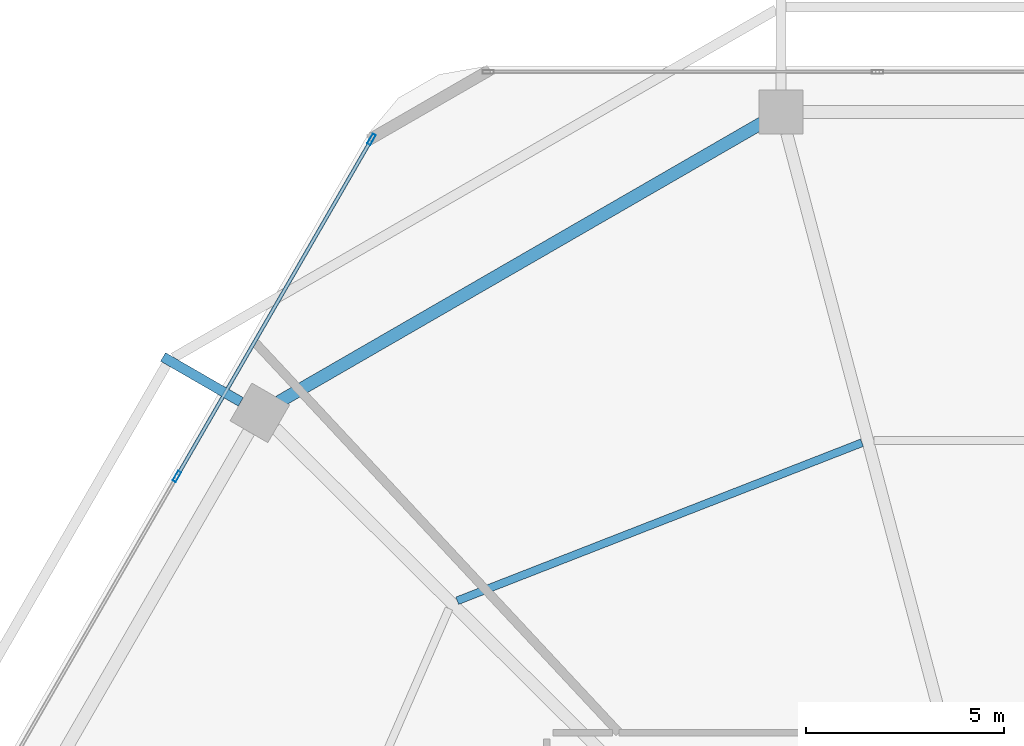
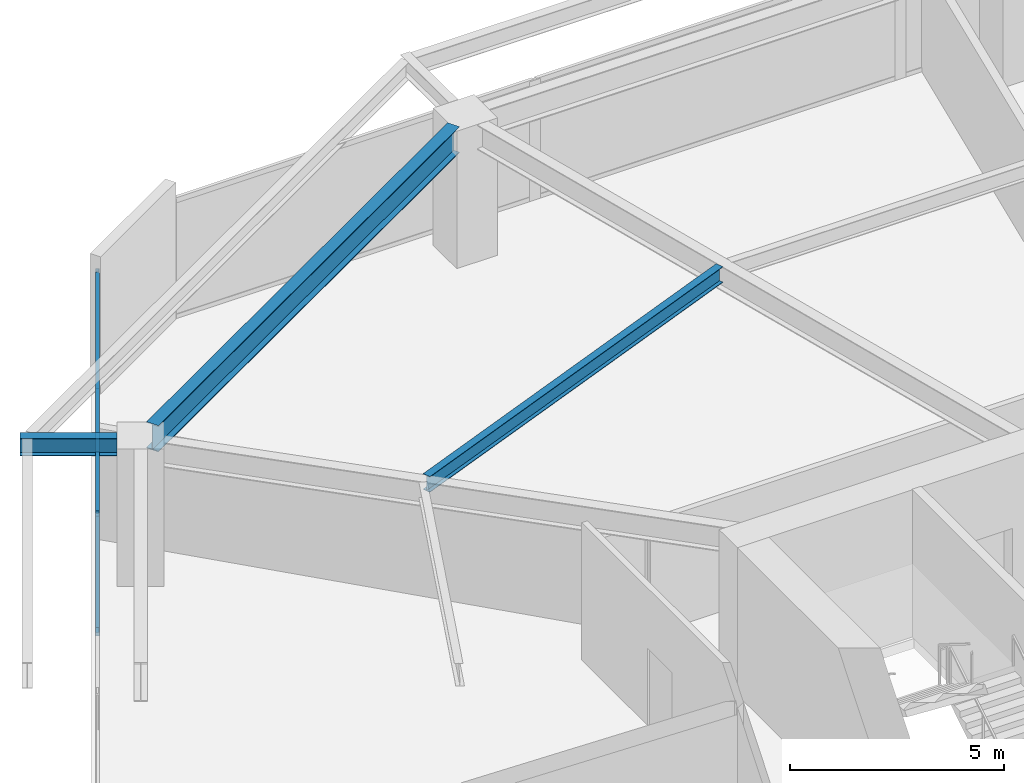
# One storey, part 15 of 28: 4 members, 3 beams, 1 element without a shape of its own.
"""IFC4 building model written with IfcOpenShell, lengths in metres."""

from ifc_helpers import new_model, si_unit, direction, frame, origin, origin_2d, place, context, subcontext, project, spatial, hollow_rectangle, i_section, extrude, material, material_profile, profile_set, type_object, element, aggregate, save


model = new_model("IFC4")

# Units and contexts
model_context = context("Model", 3, precision=1e-05, world=origin(), true_north=direction((0.0, 1.0)))
body_context = subcontext(model_context, "Body", "Model", "MODEL_VIEW")
ifc_project = project(units=[si_unit("LENGTHUNIT", "METRE"), si_unit("AREAUNIT", "SQUARE_METRE"), si_unit("VOLUMEUNIT", "CUBIC_METRE"), si_unit("PLANEANGLEUNIT", "RADIAN"), si_unit("MASSUNIT", "GRAM", prefix="KILO")], contexts=[model_context])

# Site, building, storey
site_placement = place(None, origin())
site = spatial("IfcSite", under=ifc_project, at=site_placement, CompositionType="ELEMENT")
building_placement = place(site_placement, origin())
building = spatial("IfcBuilding", under=site, at=building_placement, Name="Zuhravey Tower", CompositionType="ELEMENT")
storey_placement = place(building_placement, frame((0.0, 0.0, 79.199951171875)))
storey = spatial("IfcBuildingStorey", under=building, at=storey_placement, Name="L19", CompositionType="ELEMENT", Elevation=79.199951171875)

# Curtain wall, members
ifc_material_1 = material(Name="Thermally broken anodised aluminium", Category="aluminium")
curtain_wall_type = type_object("IfcCurtainWallType", Name="School Low-E Unitised Curtain Wall CW1", PredefinedType="NOTDEFINED", material=ifc_material_1)
curtain_wall_placement = place(storey_placement, origin())
curtain_wall = element("IfcCurtainWall", 1, at=curtain_wall_placement, inside=storey, type_object=curtain_wall_type, Name="L19 CW1 CW-L19-F3-1", PredefinedType="NOTDEFINED")
ifc_material_2 = material(Name="Anodised aluminium", Category="aluminium")
ifc_material_profile_1 = material_profile(ifc_material_2, hollow_rectangle(XDim=0.090087890625, YDim=0.284912109375, WallThickness=0.0048828125, at=origin_2d()), Name="ALU-RHS-90x285x5")
ifc_profile_set_1 = profile_set([ifc_material_profile_1], Name="Anodised aluminium")
member_type_1 = type_object("IfcMemberType", Name="Curtain-Wall Mullion 90x180", PredefinedType="MULLION", material=ifc_profile_set_1)
member_1_placement = place(storey_placement, frame((13.387939453125, 50.75146484375, 0.0), z_axis=(0.0, 0.0, 1.0), x_axis=(-0.86602552265, 0.499999794119, 0.0)))
member_1 = element("IfcMember", 2, at=member_1_placement, type_object=member_type_1, Name="CW1 mullion 3", PredefinedType="MULLION", context=body_context, shape_type="SweptSolid", body=[
    extrude(hollow_rectangle(XDim=0.090087890625, YDim=0.284912109375, WallThickness=0.0048828125, at=origin_2d()), origin(), (0.0, 0.0, 1.0), 3.420166015625),
])
member_2_placement = place(storey_placement, frame((18.298583984375, 59.257080078125, 0.0), z_axis=(0.0, 0.0, 1.0), x_axis=(-0.86602552265, 0.499999794119, 0.0)))
member_2 = element("IfcMember", 3, at=member_2_placement, type_object=member_type_1, Name="CW1 mullion 4", PredefinedType="MULLION", context=body_context, shape_type="SweptSolid", body=[
    extrude(hollow_rectangle(XDim=0.090087890625, YDim=0.284912109375, WallThickness=0.0048828125, at=origin_2d()), origin(), (0.0, 0.0, 1.0), 3.420166015625),
])
ifc_material_profile_2 = material_profile(ifc_material_2, hollow_rectangle(XDim=0.090087890625, YDim=0.14990234375, WallThickness=0.0048828125, at=origin_2d()), Name="ALU-RHS-90x150x5")
ifc_profile_set_2 = profile_set([ifc_material_profile_2], Name="Anodised aluminium")
member_type_2 = type_object("IfcMemberType", Name="Curtain-Wall Transom 90x150", PredefinedType="USERDEFINED", material=ifc_profile_set_2)
member_3_placement = place(storey_placement, frame((13.410400390625, 50.79052734375, 0.045166015625), z_axis=(0.499989576763, 0.86603142156, 0.0), x_axis=(-0.86603142156, 0.499989576763, 0.0)))
member_3 = element("IfcMember", 4, at=member_3_placement, type_object=member_type_2, Name="CW1 transom 3.1", ObjectType="TRANSOM", PredefinedType="USERDEFINED", context=body_context, shape_type="SweptSolid", body=[
    extrude(hollow_rectangle(XDim=0.090087890625, YDim=0.14990234375, WallThickness=0.0048828125, at=origin_2d()), origin(), (0.0, 0.0, 1.0), 9.731201171875),
])
member_4_placement = place(storey_placement, frame((13.410400390625, 50.79052734375, 3.375), z_axis=(0.499989576763, 0.86603142156, 0.0), x_axis=(-0.86603142156, 0.499989576763, 0.0)))
member_4 = element("IfcMember", 5, at=member_4_placement, type_object=member_type_2, Name="CW1 transom 3.2", ObjectType="TRANSOM", PredefinedType="USERDEFINED", context=body_context, shape_type="SweptSolid", body=[
    extrude(hollow_rectangle(XDim=0.090087890625, YDim=0.14990234375, WallThickness=0.0048828125, at=origin_2d()), origin(), (0.0, 0.0, 1.0), 9.731201171875),
])
aggregate(curtain_wall, [member_1, member_2, member_3, member_4])

# Beams
ifc_material_3 = material(Name="Steel SM355", Category="steel")
ifc_material_profile_3 = material_profile(ifc_material_3, i_section(OverallWidth=0.320068359375, OverallDepth=0.75, WebThickness=0.013916015625, FlangeThickness=0.02490234375, at=origin_2d()), Name="H-750x320x14x25")
ifc_profile_set_3 = profile_set([ifc_material_profile_3], Name="Steel SM355")
beam_type_1 = type_object("IfcBeamType", Name="Perimeter Ring Beam H750x320", PredefinedType="BEAM", material=ifc_profile_set_3)
beam_1_placement = place(storey_placement, frame((28.151123046875, 59.672119140625, 3.545166015625), z_axis=(-0.866017786538, -0.500013193225, 0.0), x_axis=(0.500013193225, -0.866017786538, 0.0)))
element("IfcBeam", 6, at=beam_1_placement, inside=storey, type_object=beam_type_1, Name="L19 PB1 BM-L19-PB-04", PredefinedType="BEAM", context=body_context, shape_type="SweptSolid", body=[
    extrude(i_section(OverallWidth=0.320068359375, OverallDepth=0.75, WebThickness=0.013916015625, FlangeThickness=0.02490234375, at=origin_2d()), origin(), (0.0, 0.0, 1.0), 14.0771484375),
])
ifc_material_profile_4 = material_profile(ifc_material_3, i_section(OverallWidth=0.199951171875, OverallDepth=0.449951171875, WebThickness=0.009033203125, FlangeThickness=0.013916015625, at=origin_2d()), Name="H-450x200x9x14")
ifc_profile_set_4 = profile_set([ifc_material_profile_4], Name="Steel SM355")
beam_type_2 = type_object("IfcBeamType", Name="Secondary Floor Joist H450x200", PredefinedType="JOIST", material=ifc_profile_set_4)
beam_2_placement = place(storey_placement, frame((30.67236328125, 51.60302734375, 3.695068359375), z_axis=(-0.931516535886, -0.363698973562, 0.0), x_axis=(0.363698973562, -0.931516535886, 0.0)))
element("IfcBeam", 7, at=beam_2_placement, inside=storey, type_object=beam_type_2, Name="L19 SJ1 BM-L19-SJ-04-1", PredefinedType="JOIST", context=body_context, shape_type="SweptSolid", body=[
    extrude(i_section(OverallWidth=0.199951171875, OverallDepth=0.449951171875, WebThickness=0.009033203125, FlangeThickness=0.013916015625, at=origin_2d()), origin(), (0.0, 0.0, 1.0), 10.963134765625),
])
ifc_material_profile_5 = material_profile(ifc_material_3, i_section(OverallWidth=0.25, OverallDepth=0.5, WebThickness=0.010009765625, FlangeThickness=0.01611328125, at=origin_2d()), Name="H-500x250x10x16")
ifc_profile_set_5 = profile_set([ifc_material_profile_5], Name="Steel SM355")
beam_type_3 = type_object("IfcBeamType", Name="Tray Cantilever Spandrel H500x250", PredefinedType="SPANDREL", material=ifc_profile_set_5)
beam_3_placement = place(storey_placement, frame((15.001220703125, 52.6337890625, 3.670166015625), z_axis=(-0.866013342106, 0.500020890858, 0.0), x_axis=(-0.500020890858, -0.866013342106, 0.0)))
element("IfcBeam", 8, at=beam_3_placement, inside=storey, type_object=beam_type_3, Name="L19 Sky-Tray Cantilever Arm TSB1-R05", PredefinedType="SPANDREL", context=body_context, shape_type="SweptSolid", body=[
    extrude(i_section(OverallWidth=0.25, OverallDepth=0.5, WebThickness=0.010009765625, FlangeThickness=0.01611328125, at=origin_2d()), origin(), (0.0, 0.0, 1.0), 2.26611328125),
])

save(model, "model.ifc")
